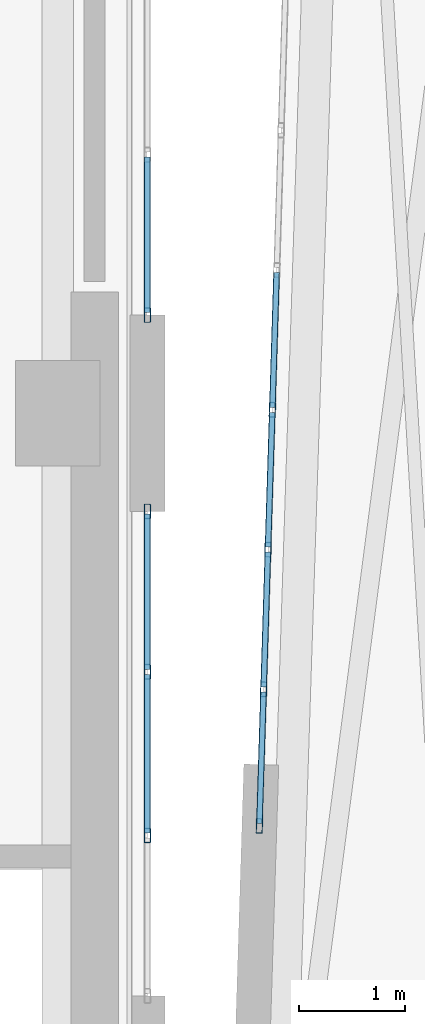
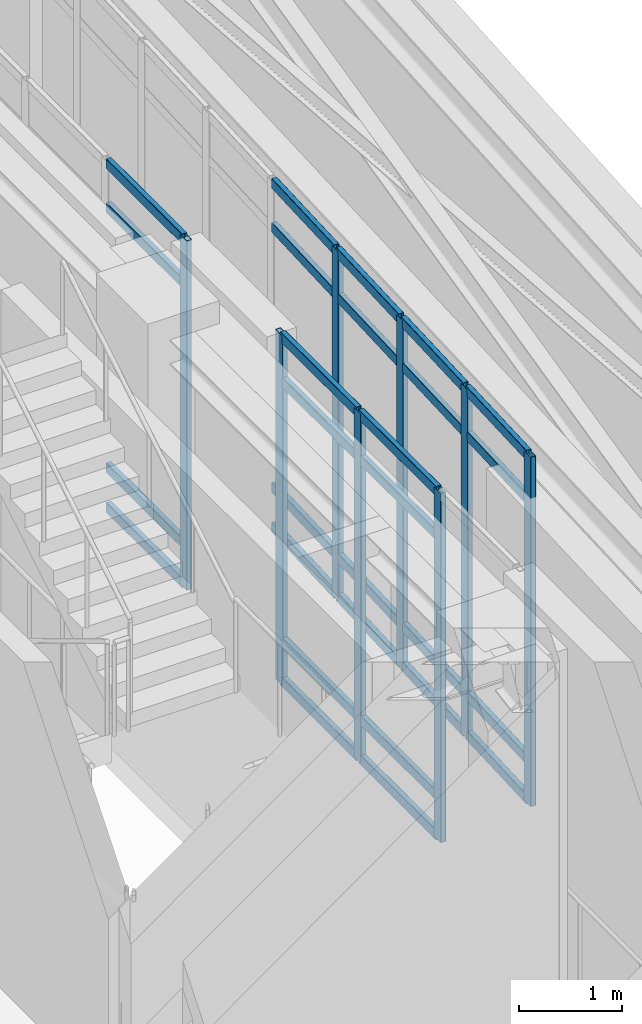
# One storey, part 7 of 19: 36 members, 3 elements without a shape of their own.
"""IFC4 building model written with IfcOpenShell, lengths in metres."""

from ifc_helpers import new_model, si_unit, direction, frame, origin, origin_2d, place, context, subcontext, project, spatial, hollow_rectangle, extrude, material, layer, layer_set, material_profile, profile_set, type_object, element, aggregate, save


model = new_model("IFC4")

# Units and contexts
model_context = context("Model", 3, precision=1e-05, world=origin(), true_north=direction((0.0, 1.0)))
body_context = subcontext(model_context, "Body", "Model", "MODEL_VIEW")
ifc_project = project(units=[si_unit("LENGTHUNIT", "METRE"), si_unit("AREAUNIT", "SQUARE_METRE"), si_unit("VOLUMEUNIT", "CUBIC_METRE"), si_unit("PLANEANGLEUNIT", "RADIAN"), si_unit("MASSUNIT", "GRAM", prefix="KILO")], contexts=[model_context])

# Site, building, storey
site_placement = place(None, origin())
site = spatial("IfcSite", under=ifc_project, at=site_placement, CompositionType="ELEMENT")
building_placement = place(site_placement, origin())
building = spatial("IfcBuilding", under=site, at=building_placement, Name="Ndelora Gate Hotel", CompositionType="ELEMENT")
storey_placement = place(building_placement, frame((0.0, 0.0, 290.39990234375)))
storey = spatial("IfcBuildingStorey", under=building, at=storey_placement, Name="L72", CompositionType="ELEMENT", Elevation=290.39990234375)

# Curtain wall, members
ifc_material_1 = material(Name="Bronze Anodised Unitised Aluminium and Low-E Glass", Category="aluminium")
ifc_layer = layer(ifc_material_1, 0.199951171875)
ifc_layer_set = layer_set([ifc_layer], Name="Bronze Anodised Unitised Aluminium and Low-E Glass")
curtain_wall_type = type_object("IfcCurtainWallType", Name="CW-SYS-8", PredefinedType="NOTDEFINED", material=ifc_layer_set)
curtain_wall_1_placement = place(storey_placement, origin())
curtain_wall_1 = element("IfcCurtainWall", 1, at=curtain_wall_1_placement, inside=storey, type_object=curtain_wall_type, Name="L72 Split-Crown West Cleft Lantern Curtain Wall CW8-1", PredefinedType="NOTDEFINED")
ifc_material_2 = material(Name="Bronze Anodised Aluminium 6063-T6", Category="aluminium")
ifc_material_profile_1 = material_profile(ifc_material_2, hollow_rectangle(XDim=0.06005859375, YDim=0.139892578125, WallThickness=0.00390625, InnerFilletRadius=0.00390625, OuterFilletRadius=0.008056640625, at=origin_2d()), Name="ALU 140x60x4")
ifc_profile_set_1 = profile_set([ifc_material_profile_1], Name="Bronze Anodised Aluminium 6063-T6")
member_type_1 = type_object("IfcMemberType", Name="MB-CW-MUL140", PredefinedType="MULLION", material=ifc_profile_set_1)
member_1_placement = place(storey_placement, frame((8.85009765625, -4.0, -0.00390625), z_axis=(0.0, 0.0, 1.0), x_axis=(-1.0, 0.0, 0.0)))
member_1 = element("IfcMember", 2, at=member_1_placement, type_object=member_type_1, Name="CW8 mullion 2", PredefinedType="MULLION", context=body_context, shape_type="SweptSolid", body=[
    extrude(hollow_rectangle(XDim=0.06005859375, YDim=0.139892578125, WallThickness=0.00390625, InnerFilletRadius=0.00390625, OuterFilletRadius=0.008056640625, at=origin_2d()), origin(), (0.0, 0.0, 1.0), 4.137939453125),
])
member_2_placement = place(storey_placement, frame((8.85009765625, -2.449951171875, -0.00390625), z_axis=(0.0, 0.0, 1.0), x_axis=(-1.0, 0.0, 0.0)))
member_2 = element("IfcMember", 3, at=member_2_placement, type_object=member_type_1, Name="CW8 mullion 3", PredefinedType="MULLION", context=body_context, shape_type="SweptSolid", body=[
    extrude(hollow_rectangle(XDim=0.06005859375, YDim=0.139892578125, WallThickness=0.00390625, InnerFilletRadius=0.00390625, OuterFilletRadius=0.008056640625, at=origin_2d()), origin(), (0.0, 0.0, 1.0), 4.137939453125),
])
member_3_placement = place(storey_placement, frame((8.85009765625, -0.929931640625, -0.00390625), z_axis=(0.0, 0.0, 1.0), x_axis=(-1.0, 0.0, 0.0)))
member_3 = element("IfcMember", 4, at=member_3_placement, type_object=member_type_1, Name="CW8 mullion 4", PredefinedType="MULLION", context=body_context, shape_type="SweptSolid", body=[
    extrude(hollow_rectangle(XDim=0.06005859375, YDim=0.139892578125, WallThickness=0.00390625, InnerFilletRadius=0.00390625, OuterFilletRadius=0.008056640625, at=origin_2d()), origin(), (0.0, 0.0, 1.0), 4.137939453125),
])

# Curtain wall, member
curtain_wall_2_placement = place(storey_placement, origin())
curtain_wall_2 = element("IfcCurtainWall", 5, at=curtain_wall_2_placement, inside=storey, type_object=curtain_wall_type, Name="L72 Split-Crown West Cleft Lantern Curtain Wall CW8-2", PredefinedType="NOTDEFINED")
member_4_placement = place(storey_placement, frame((8.85009765625, 0.929931640625, -0.00390625), z_axis=(0.0, 0.0, 1.0), x_axis=(-1.0, 0.0, 0.0)))
member_4 = element("IfcMember", 6, at=member_4_placement, type_object=member_type_1, Name="CW8 mullion 1", PredefinedType="MULLION", context=body_context, shape_type="SweptSolid", body=[
    extrude(hollow_rectangle(XDim=0.06005859375, YDim=0.139892578125, WallThickness=0.00390625, InnerFilletRadius=0.00390625, OuterFilletRadius=0.008056640625, at=origin_2d()), origin(), (0.0, 0.0, 1.0), 4.137939453125),
])

# Curtain wall, members
curtain_wall_3_placement = place(storey_placement, origin())
curtain_wall_3 = element("IfcCurtainWall", 7, at=curtain_wall_3_placement, inside=storey, type_object=curtain_wall_type, Name="L72 Split-Crown East Cleft Lantern Curtain Wall CW8", PredefinedType="NOTDEFINED")
member_5_placement = place(storey_placement, frame((10.03369140625, 0.0322265625, -0.00390625), z_axis=(0.0, 0.0, 1.0), x_axis=(0.999515302198, -0.031131345484, 0.0)))
member_5 = element("IfcMember", 8, at=member_5_placement, type_object=member_type_1, Name="CW8 mullion 6", PredefinedType="MULLION", context=body_context, shape_type="SweptSolid", body=[
    extrude(hollow_rectangle(XDim=0.06005859375, YDim=0.139892578125, WallThickness=0.00390625, InnerFilletRadius=0.00390625, OuterFilletRadius=0.008056640625, at=origin_2d()), origin(), (0.0, 0.0, 1.0), 4.137939453125),
])
member_6_placement = place(storey_placement, frame((9.992431640625, -1.291748046875, -0.00390625), z_axis=(0.0, 0.0, 1.0), x_axis=(0.999515302198, -0.031131345484, 0.0)))
member_6 = element("IfcMember", 9, at=member_6_placement, type_object=member_type_1, Name="CW8 mullion 7", PredefinedType="MULLION", context=body_context, shape_type="SweptSolid", body=[
    extrude(hollow_rectangle(XDim=0.06005859375, YDim=0.139892578125, WallThickness=0.00390625, InnerFilletRadius=0.00390625, OuterFilletRadius=0.008056640625, at=origin_2d()), origin(), (0.0, 0.0, 1.0), 4.137939453125),
])
member_7_placement = place(storey_placement, frame((9.951171875, -2.61572265625, -0.00390625), z_axis=(0.0, 0.0, 1.0), x_axis=(0.999515302198, -0.031131345484, 0.0)))
member_7 = element("IfcMember", 10, at=member_7_placement, type_object=member_type_1, Name="CW8 mullion 8", PredefinedType="MULLION", context=body_context, shape_type="SweptSolid", body=[
    extrude(hollow_rectangle(XDim=0.06005859375, YDim=0.139892578125, WallThickness=0.00390625, InnerFilletRadius=0.00390625, OuterFilletRadius=0.008056640625, at=origin_2d()), origin(), (0.0, 0.0, 1.0), 4.137939453125),
])
member_8_placement = place(storey_placement, frame((9.910888671875, -3.90966796875, -0.00390625), z_axis=(0.0, 0.0, 1.0), x_axis=(0.999515302198, -0.031131345484, 0.0)))
member_8 = element("IfcMember", 11, at=member_8_placement, type_object=member_type_1, Name="CW8 mullion 9", PredefinedType="MULLION", context=body_context, shape_type="SweptSolid", body=[
    extrude(hollow_rectangle(XDim=0.06005859375, YDim=0.139892578125, WallThickness=0.00390625, InnerFilletRadius=0.00390625, OuterFilletRadius=0.008056640625, at=origin_2d()), origin(), (0.0, 0.0, 1.0), 4.137939453125),
])

# Member
ifc_material_profile_2 = material_profile(ifc_material_2, hollow_rectangle(XDim=0.06005859375, YDim=0.1201171875, WallThickness=0.00390625, InnerFilletRadius=0.00390625, OuterFilletRadius=0.008056640625, at=origin_2d()), Name="ALU 120x60x4")
ifc_profile_set_2 = profile_set([ifc_material_profile_2], Name="Bronze Anodised Aluminium 6063-T6")
member_type_2 = type_object("IfcMemberType", Name="MB-CW-TRN120", PredefinedType="USERDEFINED", material=ifc_profile_set_2)
member_9_placement = place(storey_placement, frame((8.85009765625, -3.97607421875, 0.030029296875), z_axis=(0.0, 1.0, 0.0), x_axis=(-1.0, 0.0, 0.0)))
member_9 = element("IfcMember", 12, at=member_9_placement, type_object=member_type_2, Name="CW8 transom 2.1", ObjectType="TRANSOM", PredefinedType="USERDEFINED", context=body_context, shape_type="SweptSolid", body=[
    extrude(hollow_rectangle(XDim=0.06005859375, YDim=0.1201171875, WallThickness=0.00390625, InnerFilletRadius=0.00390625, OuterFilletRadius=0.008056640625, at=origin_2d()), origin(), (0.0, 0.0, 1.0), 1.501953125),
])

member_10_placement = place(storey_placement, frame((8.85009765625, -3.97607421875, 0.5), z_axis=(0.0, 1.0, 0.0), x_axis=(-1.0, 0.0, 0.0)))
member_10 = element("IfcMember", 13, at=member_10_placement, type_object=member_type_2, Name="CW8 transom 2.2", ObjectType="TRANSOM", PredefinedType="USERDEFINED", context=body_context, shape_type="SweptSolid", body=[
    extrude(hollow_rectangle(XDim=0.06005859375, YDim=0.1201171875, WallThickness=0.00390625, InnerFilletRadius=0.00390625, OuterFilletRadius=0.008056640625, at=origin_2d()), origin(), (0.0, 0.0, 1.0), 1.501953125),
])

member_11_placement = place(storey_placement, frame((8.85009765625, -3.97607421875, 3.580078125), z_axis=(0.0, 1.0, 0.0), x_axis=(-1.0, 0.0, 0.0)))
member_11 = element("IfcMember", 14, at=member_11_placement, type_object=member_type_2, Name="CW8 transom 2.3", ObjectType="TRANSOM", PredefinedType="USERDEFINED", context=body_context, shape_type="SweptSolid", body=[
    extrude(hollow_rectangle(XDim=0.06005859375, YDim=0.1201171875, WallThickness=0.00390625, InnerFilletRadius=0.00390625, OuterFilletRadius=0.008056640625, at=origin_2d()), origin(), (0.0, 0.0, 1.0), 1.501953125),
])

member_12_placement = place(storey_placement, frame((8.85009765625, -3.97607421875, 4.10009765625), z_axis=(0.0, 1.0, 0.0), x_axis=(-1.0, 0.0, 0.0)))
member_12 = element("IfcMember", 15, at=member_12_placement, type_object=member_type_2, Name="CW8 transom 2.4", ObjectType="TRANSOM", PredefinedType="USERDEFINED", context=body_context, shape_type="SweptSolid", body=[
    extrude(hollow_rectangle(XDim=0.06005859375, YDim=0.1201171875, WallThickness=0.00390625, InnerFilletRadius=0.00390625, OuterFilletRadius=0.008056640625, at=origin_2d()), origin(), (0.0, 0.0, 1.0), 1.501953125),
])

member_13_placement = place(storey_placement, frame((8.85009765625, -2.426025390625, 0.030029296875), z_axis=(0.0, 1.0, 0.0), x_axis=(-1.0, 0.0, 0.0)))
member_13 = element("IfcMember", 16, at=member_13_placement, type_object=member_type_2, Name="CW8 transom 3.1", ObjectType="TRANSOM", PredefinedType="USERDEFINED", context=body_context, shape_type="SweptSolid", body=[
    extrude(hollow_rectangle(XDim=0.06005859375, YDim=0.1201171875, WallThickness=0.00390625, InnerFilletRadius=0.00390625, OuterFilletRadius=0.008056640625, at=origin_2d()), origin(), (0.0, 0.0, 1.0), 1.471923828125),
])

member_14_placement = place(storey_placement, frame((8.85009765625, -2.426025390625, 0.5), z_axis=(0.0, 1.0, 0.0), x_axis=(-1.0, 0.0, 0.0)))
member_14 = element("IfcMember", 17, at=member_14_placement, type_object=member_type_2, Name="CW8 transom 3.2", ObjectType="TRANSOM", PredefinedType="USERDEFINED", context=body_context, shape_type="SweptSolid", body=[
    extrude(hollow_rectangle(XDim=0.06005859375, YDim=0.1201171875, WallThickness=0.00390625, InnerFilletRadius=0.00390625, OuterFilletRadius=0.008056640625, at=origin_2d()), origin(), (0.0, 0.0, 1.0), 1.471923828125),
])

member_15_placement = place(storey_placement, frame((8.85009765625, -2.426025390625, 3.580078125), z_axis=(0.0, 1.0, 0.0), x_axis=(-1.0, 0.0, 0.0)))
member_15 = element("IfcMember", 18, at=member_15_placement, type_object=member_type_2, Name="CW8 transom 3.3", ObjectType="TRANSOM", PredefinedType="USERDEFINED", context=body_context, shape_type="SweptSolid", body=[
    extrude(hollow_rectangle(XDim=0.06005859375, YDim=0.1201171875, WallThickness=0.00390625, InnerFilletRadius=0.00390625, OuterFilletRadius=0.008056640625, at=origin_2d()), origin(), (0.0, 0.0, 1.0), 1.471923828125),
])

member_16_placement = place(storey_placement, frame((8.85009765625, -2.426025390625, 4.10009765625), z_axis=(0.0, 1.0, 0.0), x_axis=(-1.0, 0.0, 0.0)))
member_16 = element("IfcMember", 19, at=member_16_placement, type_object=member_type_2, Name="CW8 transom 3.4", ObjectType="TRANSOM", PredefinedType="USERDEFINED", context=body_context, shape_type="SweptSolid", body=[
    extrude(hollow_rectangle(XDim=0.06005859375, YDim=0.1201171875, WallThickness=0.00390625, InnerFilletRadius=0.00390625, OuterFilletRadius=0.008056640625, at=origin_2d()), origin(), (0.0, 0.0, 1.0), 1.471923828125),
])

aggregate(curtain_wall_1, [member_1, member_2, member_3, member_9, member_10, member_11, member_12, member_13, member_14, member_15, member_16])

member_17_placement = place(storey_placement, frame((8.85009765625, 0.9541015625, 0.030029296875), z_axis=(0.0, 1.0, 0.0), x_axis=(-1.0, 0.0, 0.0)))
member_17 = element("IfcMember", 20, at=member_17_placement, type_object=member_type_2, Name="CW8 transom 1.1", ObjectType="TRANSOM", PredefinedType="USERDEFINED", context=body_context, shape_type="SweptSolid", body=[
    extrude(hollow_rectangle(XDim=0.06005859375, YDim=0.1201171875, WallThickness=0.00390625, InnerFilletRadius=0.00390625, OuterFilletRadius=0.008056640625, at=origin_2d()), origin(), (0.0, 0.0, 1.0), 1.471923828125),
])

member_18_placement = place(storey_placement, frame((8.85009765625, 0.9541015625, 0.5), z_axis=(0.0, 1.0, 0.0), x_axis=(-1.0, 0.0, 0.0)))
member_18 = element("IfcMember", 21, at=member_18_placement, type_object=member_type_2, Name="CW8 transom 1.2", ObjectType="TRANSOM", PredefinedType="USERDEFINED", context=body_context, shape_type="SweptSolid", body=[
    extrude(hollow_rectangle(XDim=0.06005859375, YDim=0.1201171875, WallThickness=0.00390625, InnerFilletRadius=0.00390625, OuterFilletRadius=0.008056640625, at=origin_2d()), origin(), (0.0, 0.0, 1.0), 1.471923828125),
])

member_19_placement = place(storey_placement, frame((8.85009765625, 0.9541015625, 3.580078125), z_axis=(0.0, 1.0, 0.0), x_axis=(-1.0, 0.0, 0.0)))
member_19 = element("IfcMember", 22, at=member_19_placement, type_object=member_type_2, Name="CW8 transom 1.3", ObjectType="TRANSOM", PredefinedType="USERDEFINED", context=body_context, shape_type="SweptSolid", body=[
    extrude(hollow_rectangle(XDim=0.06005859375, YDim=0.1201171875, WallThickness=0.00390625, InnerFilletRadius=0.00390625, OuterFilletRadius=0.008056640625, at=origin_2d()), origin(), (0.0, 0.0, 1.0), 1.471923828125),
])

member_20_placement = place(storey_placement, frame((8.85009765625, 0.9541015625, 4.10009765625), z_axis=(0.0, 1.0, 0.0), x_axis=(-1.0, 0.0, 0.0)))
member_20 = element("IfcMember", 23, at=member_20_placement, type_object=member_type_2, Name="CW8 transom 1.4", ObjectType="TRANSOM", PredefinedType="USERDEFINED", context=body_context, shape_type="SweptSolid", body=[
    extrude(hollow_rectangle(XDim=0.06005859375, YDim=0.1201171875, WallThickness=0.00390625, InnerFilletRadius=0.00390625, OuterFilletRadius=0.008056640625, at=origin_2d()), origin(), (0.0, 0.0, 1.0), 1.471923828125),
])

aggregate(curtain_wall_2, [member_4, member_17, member_18, member_19, member_20])

member_21_placement = place(storey_placement, frame((10.07421875, 1.332275390625, 0.030029296875), z_axis=(-0.031169084092, -0.999514126062, 0.0), x_axis=(0.999514126062, -0.031169084092, 0.0)))
member_21 = element("IfcMember", 24, at=member_21_placement, type_object=member_type_2, Name="CW8 transom 5.1", ObjectType="TRANSOM", PredefinedType="USERDEFINED", context=body_context, shape_type="SweptSolid", body=[
    extrude(hollow_rectangle(XDim=0.06005859375, YDim=0.1201171875, WallThickness=0.00390625, InnerFilletRadius=0.00390625, OuterFilletRadius=0.008056640625, at=origin_2d()), origin(), (0.0, 0.0, 1.0), 1.27685546875),
])

member_22_placement = place(storey_placement, frame((10.07421875, 1.332275390625, 0.5), z_axis=(-0.031169084092, -0.999514126062, 0.0), x_axis=(0.999514126062, -0.031169084092, 0.0)))
member_22 = element("IfcMember", 25, at=member_22_placement, type_object=member_type_2, Name="CW8 transom 5.2", ObjectType="TRANSOM", PredefinedType="USERDEFINED", context=body_context, shape_type="SweptSolid", body=[
    extrude(hollow_rectangle(XDim=0.06005859375, YDim=0.1201171875, WallThickness=0.00390625, InnerFilletRadius=0.00390625, OuterFilletRadius=0.008056640625, at=origin_2d()), origin(), (0.0, 0.0, 1.0), 1.27685546875),
])

member_23_placement = place(storey_placement, frame((10.07421875, 1.332275390625, 3.580078125), z_axis=(-0.031169084092, -0.999514126062, 0.0), x_axis=(0.999514126062, -0.031169084092, 0.0)))
member_23 = element("IfcMember", 26, at=member_23_placement, type_object=member_type_2, Name="CW8 transom 5.3", ObjectType="TRANSOM", PredefinedType="USERDEFINED", context=body_context, shape_type="SweptSolid", body=[
    extrude(hollow_rectangle(XDim=0.06005859375, YDim=0.1201171875, WallThickness=0.00390625, InnerFilletRadius=0.00390625, OuterFilletRadius=0.008056640625, at=origin_2d()), origin(), (0.0, 0.0, 1.0), 1.27685546875),
])

member_24_placement = place(storey_placement, frame((10.07421875, 1.332275390625, 4.10009765625), z_axis=(-0.031169084092, -0.999514126062, 0.0), x_axis=(0.999514126062, -0.031169084092, 0.0)))
member_24 = element("IfcMember", 27, at=member_24_placement, type_object=member_type_2, Name="CW8 transom 5.4", ObjectType="TRANSOM", PredefinedType="USERDEFINED", context=body_context, shape_type="SweptSolid", body=[
    extrude(hollow_rectangle(XDim=0.06005859375, YDim=0.1201171875, WallThickness=0.00390625, InnerFilletRadius=0.00390625, OuterFilletRadius=0.008056640625, at=origin_2d()), origin(), (0.0, 0.0, 1.0), 1.27685546875),
])

member_25_placement = place(storey_placement, frame((10.032958984375, 0.00830078125, 0.030029296875), z_axis=(-0.031169084092, -0.999514126062, 0.0), x_axis=(0.999514126062, -0.031169084092, 0.0)))
member_25 = element("IfcMember", 28, at=member_25_placement, type_object=member_type_2, Name="CW8 transom 6.1", ObjectType="TRANSOM", PredefinedType="USERDEFINED", context=body_context, shape_type="SweptSolid", body=[
    extrude(hollow_rectangle(XDim=0.06005859375, YDim=0.1201171875, WallThickness=0.00390625, InnerFilletRadius=0.00390625, OuterFilletRadius=0.008056640625, at=origin_2d()), origin(), (0.0, 0.0, 1.0), 1.27685546875),
])

member_26_placement = place(storey_placement, frame((10.032958984375, 0.00830078125, 0.5), z_axis=(-0.031169084092, -0.999514126062, 0.0), x_axis=(0.999514126062, -0.031169084092, 0.0)))
member_26 = element("IfcMember", 29, at=member_26_placement, type_object=member_type_2, Name="CW8 transom 6.2", ObjectType="TRANSOM", PredefinedType="USERDEFINED", context=body_context, shape_type="SweptSolid", body=[
    extrude(hollow_rectangle(XDim=0.06005859375, YDim=0.1201171875, WallThickness=0.00390625, InnerFilletRadius=0.00390625, OuterFilletRadius=0.008056640625, at=origin_2d()), origin(), (0.0, 0.0, 1.0), 1.27685546875),
])

member_27_placement = place(storey_placement, frame((10.032958984375, 0.00830078125, 3.580078125), z_axis=(-0.031169084092, -0.999514126062, 0.0), x_axis=(0.999514126062, -0.031169084092, 0.0)))
member_27 = element("IfcMember", 30, at=member_27_placement, type_object=member_type_2, Name="CW8 transom 6.3", ObjectType="TRANSOM", PredefinedType="USERDEFINED", context=body_context, shape_type="SweptSolid", body=[
    extrude(hollow_rectangle(XDim=0.06005859375, YDim=0.1201171875, WallThickness=0.00390625, InnerFilletRadius=0.00390625, OuterFilletRadius=0.008056640625, at=origin_2d()), origin(), (0.0, 0.0, 1.0), 1.27685546875),
])

member_28_placement = place(storey_placement, frame((10.032958984375, 0.00830078125, 4.10009765625), z_axis=(-0.031169084092, -0.999514126062, 0.0), x_axis=(0.999514126062, -0.031169084092, 0.0)))
member_28 = element("IfcMember", 31, at=member_28_placement, type_object=member_type_2, Name="CW8 transom 6.4", ObjectType="TRANSOM", PredefinedType="USERDEFINED", context=body_context, shape_type="SweptSolid", body=[
    extrude(hollow_rectangle(XDim=0.06005859375, YDim=0.1201171875, WallThickness=0.00390625, InnerFilletRadius=0.00390625, OuterFilletRadius=0.008056640625, at=origin_2d()), origin(), (0.0, 0.0, 1.0), 1.27685546875),
])

member_29_placement = place(storey_placement, frame((9.99169921875, -1.315673828125, 0.030029296875), z_axis=(-0.031169084092, -0.999514126062, 0.0), x_axis=(0.999514126062, -0.031169084092, 0.0)))
member_29 = element("IfcMember", 32, at=member_29_placement, type_object=member_type_2, Name="CW8 transom 7.1", ObjectType="TRANSOM", PredefinedType="USERDEFINED", context=body_context, shape_type="SweptSolid", body=[
    extrude(hollow_rectangle(XDim=0.06005859375, YDim=0.1201171875, WallThickness=0.00390625, InnerFilletRadius=0.00390625, OuterFilletRadius=0.008056640625, at=origin_2d()), origin(), (0.0, 0.0, 1.0), 1.27685546875),
])

member_30_placement = place(storey_placement, frame((9.99169921875, -1.315673828125, 0.5), z_axis=(-0.031169084092, -0.999514126062, 0.0), x_axis=(0.999514126062, -0.031169084092, 0.0)))
member_30 = element("IfcMember", 33, at=member_30_placement, type_object=member_type_2, Name="CW8 transom 7.2", ObjectType="TRANSOM", PredefinedType="USERDEFINED", context=body_context, shape_type="SweptSolid", body=[
    extrude(hollow_rectangle(XDim=0.06005859375, YDim=0.1201171875, WallThickness=0.00390625, InnerFilletRadius=0.00390625, OuterFilletRadius=0.008056640625, at=origin_2d()), origin(), (0.0, 0.0, 1.0), 1.27685546875),
])

member_31_placement = place(storey_placement, frame((9.99169921875, -1.315673828125, 3.580078125), z_axis=(-0.031169084092, -0.999514126062, 0.0), x_axis=(0.999514126062, -0.031169084092, 0.0)))
member_31 = element("IfcMember", 34, at=member_31_placement, type_object=member_type_2, Name="CW8 transom 7.3", ObjectType="TRANSOM", PredefinedType="USERDEFINED", context=body_context, shape_type="SweptSolid", body=[
    extrude(hollow_rectangle(XDim=0.06005859375, YDim=0.1201171875, WallThickness=0.00390625, InnerFilletRadius=0.00390625, OuterFilletRadius=0.008056640625, at=origin_2d()), origin(), (0.0, 0.0, 1.0), 1.27685546875),
])

member_32_placement = place(storey_placement, frame((9.99169921875, -1.315673828125, 4.10009765625), z_axis=(-0.031169084092, -0.999514126062, 0.0), x_axis=(0.999514126062, -0.031169084092, 0.0)))
member_32 = element("IfcMember", 35, at=member_32_placement, type_object=member_type_2, Name="CW8 transom 7.4", ObjectType="TRANSOM", PredefinedType="USERDEFINED", context=body_context, shape_type="SweptSolid", body=[
    extrude(hollow_rectangle(XDim=0.06005859375, YDim=0.1201171875, WallThickness=0.00390625, InnerFilletRadius=0.00390625, OuterFilletRadius=0.008056640625, at=origin_2d()), origin(), (0.0, 0.0, 1.0), 1.27685546875),
])

member_33_placement = place(storey_placement, frame((9.950439453125, -2.6396484375, 0.030029296875), z_axis=(-0.031136932872, -0.999515128155, 0.0), x_axis=(0.999515128155, -0.031136932872, 0.0)))
member_33 = element("IfcMember", 36, at=member_33_placement, type_object=member_type_2, Name="CW8 transom 8.1", ObjectType="TRANSOM", PredefinedType="USERDEFINED", context=body_context, shape_type="SweptSolid", body=[
    extrude(hollow_rectangle(XDim=0.06005859375, YDim=0.1201171875, WallThickness=0.00390625, InnerFilletRadius=0.00390625, OuterFilletRadius=0.008056640625, at=origin_2d()), origin(), (0.0, 0.0, 1.0), 1.24658203125),
])

member_34_placement = place(storey_placement, frame((9.950439453125, -2.6396484375, 0.5), z_axis=(-0.031136932872, -0.999515128155, 0.0), x_axis=(0.999515128155, -0.031136932872, 0.0)))
member_34 = element("IfcMember", 37, at=member_34_placement, type_object=member_type_2, Name="CW8 transom 8.2", ObjectType="TRANSOM", PredefinedType="USERDEFINED", context=body_context, shape_type="SweptSolid", body=[
    extrude(hollow_rectangle(XDim=0.06005859375, YDim=0.1201171875, WallThickness=0.00390625, InnerFilletRadius=0.00390625, OuterFilletRadius=0.008056640625, at=origin_2d()), origin(), (0.0, 0.0, 1.0), 1.24658203125),
])

member_35_placement = place(storey_placement, frame((9.950439453125, -2.6396484375, 3.580078125), z_axis=(-0.031136932872, -0.999515128155, 0.0), x_axis=(0.999515128155, -0.031136932872, 0.0)))
member_35 = element("IfcMember", 38, at=member_35_placement, type_object=member_type_2, Name="CW8 transom 8.3", ObjectType="TRANSOM", PredefinedType="USERDEFINED", context=body_context, shape_type="SweptSolid", body=[
    extrude(hollow_rectangle(XDim=0.06005859375, YDim=0.1201171875, WallThickness=0.00390625, InnerFilletRadius=0.00390625, OuterFilletRadius=0.008056640625, at=origin_2d()), origin(), (0.0, 0.0, 1.0), 1.24658203125),
])

member_36_placement = place(storey_placement, frame((9.950439453125, -2.6396484375, 4.10009765625), z_axis=(-0.031136932872, -0.999515128155, 0.0), x_axis=(0.999515128155, -0.031136932872, 0.0)))
member_36 = element("IfcMember", 39, at=member_36_placement, type_object=member_type_2, Name="CW8 transom 8.4", ObjectType="TRANSOM", PredefinedType="USERDEFINED", context=body_context, shape_type="SweptSolid", body=[
    extrude(hollow_rectangle(XDim=0.06005859375, YDim=0.1201171875, WallThickness=0.00390625, InnerFilletRadius=0.00390625, OuterFilletRadius=0.008056640625, at=origin_2d()), origin(), (0.0, 0.0, 1.0), 1.24658203125),
])

aggregate(curtain_wall_3, [member_5, member_6, member_7, member_8, member_21, member_22, member_23, member_24, member_25, member_26, member_27, member_28, member_29, member_30, member_31, member_32, member_33, member_34, member_35, member_36])

save(model, "model.ifc")
